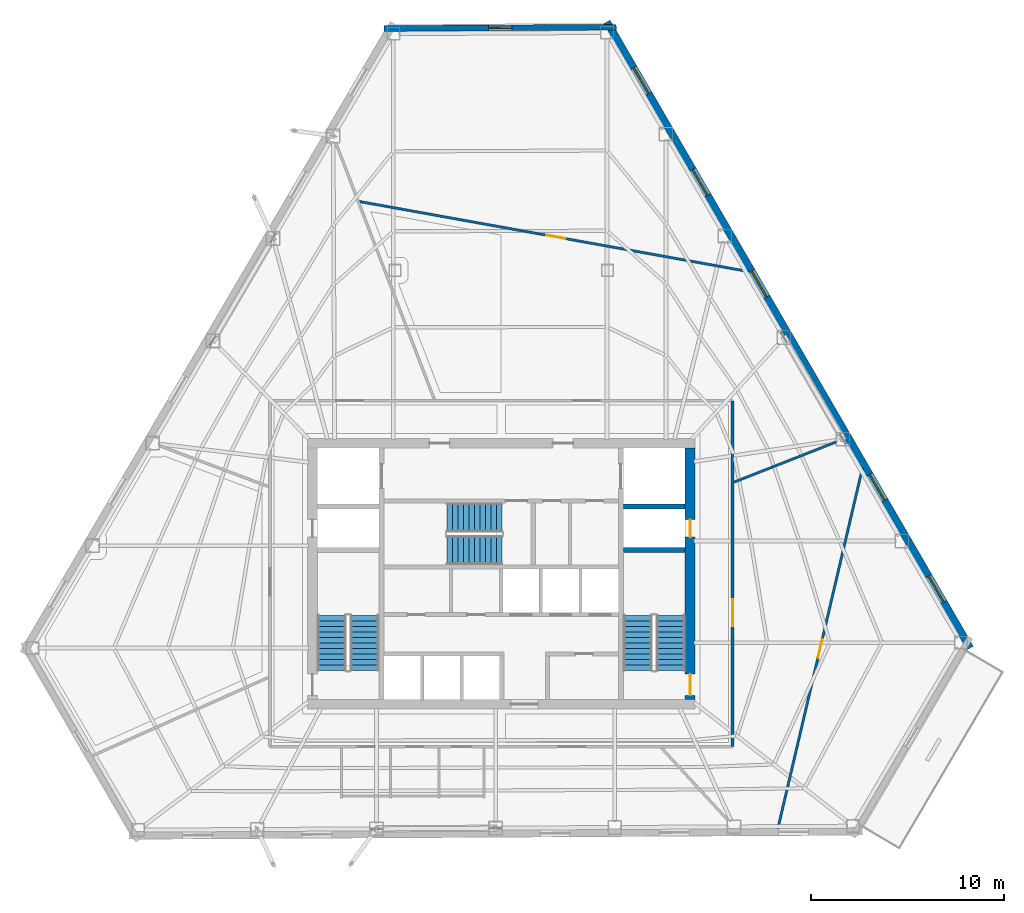
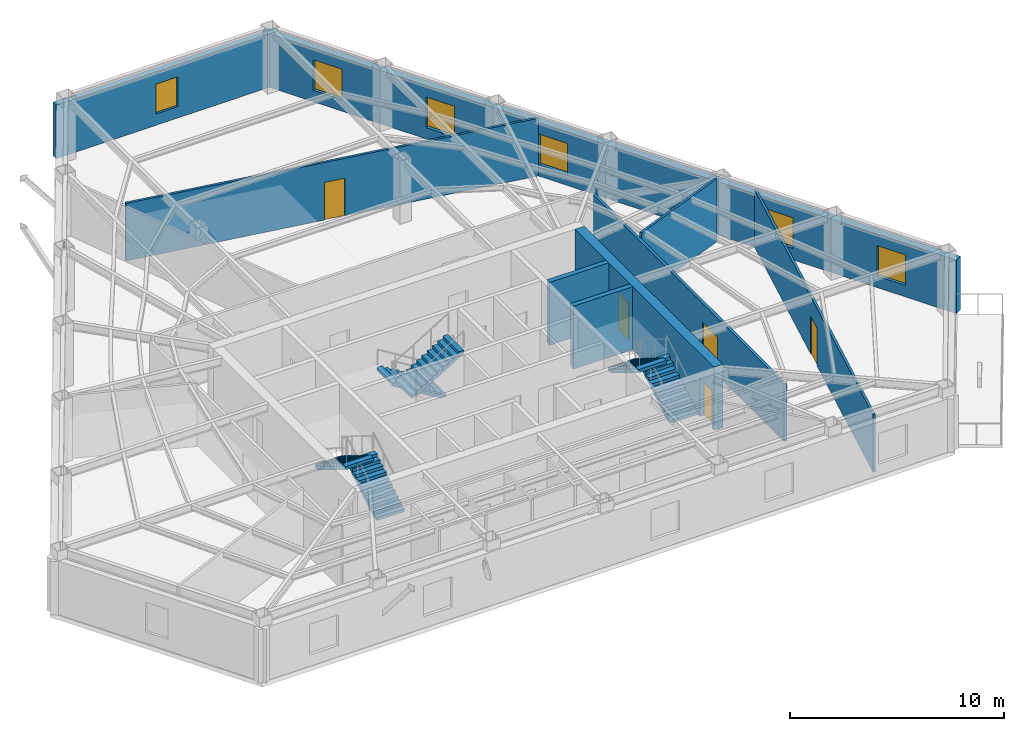
# One storey, part 8 of 11: 9 walls, 6 stair flights, 6 windows, 5 doors, 11 openings, 3 elements without a shape of their own.
"""IFC4 building model written with IfcOpenShell, lengths in metres."""

from ifc_helpers import new_model, si_unit, direction, frame, frame_2d, origin, place, context, subcontext, project, spatial, polyline, rectangle, outline, extrude, material, layer, layer_set, type_object, element, fill, aggregate, save


model = new_model("IFC4")

# Units and contexts
model_context = context("Model", 3, precision=1e-05, world=origin(), true_north=direction((0.0, 1.0)))
body_context = subcontext(model_context, "Body", "Model", "MODEL_VIEW")
ifc_project = project(units=[si_unit("LENGTHUNIT", "METRE"), si_unit("AREAUNIT", "SQUARE_METRE"), si_unit("VOLUMEUNIT", "CUBIC_METRE"), si_unit("PLANEANGLEUNIT", "RADIAN"), si_unit("MASSUNIT", "GRAM", prefix="KILO")], contexts=[model_context])

# Site, building, storey
site_placement = place(None, origin())
site = spatial("IfcSite", under=ifc_project, at=site_placement, CompositionType="ELEMENT")
building_placement = place(site_placement, origin())
building = spatial("IfcBuilding", under=site, at=building_placement, Name="Kavelnor Concourse Tower", CompositionType="ELEMENT")
storey_placement = place(building_placement, frame((0.0, 0.0, 139.39990234375)))
storey = spatial("IfcBuildingStorey", under=building, at=storey_placement, Name="L35", CompositionType="ELEMENT", Elevation=139.39990234375)

# Wall, openings, doors
ifc_material_1 = material(Name="Concrete C60/75", Category="concrete")
ifc_layer_1 = layer(ifc_material_1, 0.5, Name="Concrete C60/75")
ifc_layer_set_1 = layer_set([ifc_layer_1], Name="Concrete C60/75")
wall_type_1 = type_object("IfcWallType", Name="WL-CORE-Z2-500", PredefinedType="SOLIDWALL", material=ifc_layer_set_1)
wall_1_placement = place(storey_placement, frame((47.77001953125, 9.60009765625, 0.0), z_axis=(0.0, 0.0, 1.0), x_axis=(0.0, 1.0, 0.0)))
wall_1 = element("IfcWall", 1, at=wall_1_placement, inside=storey, type_object=wall_type_1, Name="L35 Central Core East Shear Wall", PredefinedType="SOLIDWALL", context=body_context, shape_type="SweptSolid", body=[
    extrude(rectangle(XDim=13.0, YDim=0.5, at=frame_2d((6.5, 0.0))), origin(), (0.0, 0.0, 1.0), 3.60009765625),
])
opening_1_placement = place(wall_1_placement, frame((0.199951171875, 0.0, 0.0)))
opening_1 = element("IfcOpeningElement", 2, at=opening_1_placement, cuts=wall_1, Name="Opening FD-110", PredefinedType="OPENING", context=body_context, shape_type="SweptSolid", body=[
    extrude(rectangle(XDim=1.10009765625, YDim=2.14990234375, at=frame_2d((0.550048828125, 1.074951171875))), frame((0.0, 0.260009765625, 0.0), z_axis=(0.0, -1.0, 0.0), x_axis=(1.0, 0.0, 0.0)), (0.0, 0.0, 1.0), 0.52001953125),
])
opening_2_placement = place(wall_1_placement, frame((8.39990234375, 0.0, 0.0)))
opening_2 = element("IfcOpeningElement", 3, at=opening_2_placement, cuts=wall_1, Name="Opening FD-090", PredefinedType="OPENING", context=body_context, shape_type="SweptSolid", body=[
    extrude(rectangle(XDim=0.89990234375, YDim=2.10009765625, at=frame_2d((0.449951171875, 1.050048828125))), frame((0.0, 0.260009765625, 0.0), z_axis=(0.0, -1.0, 0.0), x_axis=(1.0, 0.0, 0.0)), (0.0, 0.0, 1.0), 0.52001953125),
])
ifc_material_2 = material(Name="Steel Grade 350", Category="steel")
door_type_1 = type_object("IfcDoorType", Name="DR-RISER-FIRE-900", OperationType="NOTDEFINED", PredefinedType="DOOR", material=ifc_material_2)
door_1_placement = place(opening_2_placement, origin())
door_1 = element("IfcDoor", 4, at=door_1_placement, inside=storey, type_object=door_type_1, Name="L35 East Riser Access Door", OperationType="SINGLE_SWING_LEFT", OverallHeight=2.10009765625, OverallWidth=0.89990234375, PredefinedType="DOOR", context=body_context, shape_type="SweptSolid", body=[
    extrude(rectangle(XDim=0.89990234375, YDim=2.10009765625, at=frame_2d((0.449951171875, 1.050048828125))), frame((0.0, 0.02490234375, 0.0), z_axis=(0.0, -1.0, 0.0), x_axis=(1.0, 0.0, 0.0)), (0.0, 0.0, 1.0), 0.050048828125),
])
fill(opening_2, door_1)
door_type_2 = type_object("IfcDoorType", Name="DR-STAIR-FIRE-1100", OperationType="NOTDEFINED", PredefinedType="DOOR", material=ifc_material_2)
door_2_placement = place(opening_1_placement, origin())
door_2 = element("IfcDoor", 5, at=door_2_placement, inside=storey, type_object=door_type_2, Name="L35 Stair ST2 Fire Door", OperationType="SINGLE_SWING_RIGHT", OverallHeight=2.14990234375, OverallWidth=1.10009765625, PredefinedType="DOOR", context=body_context, shape_type="SweptSolid", body=[
    extrude(rectangle(XDim=1.10009765625, YDim=2.14990234375, at=frame_2d((0.550048828125, 1.074951171875))), frame((0.0, 0.02490234375, 0.0), z_axis=(0.0, -1.0, 0.0), x_axis=(1.0, 0.0, 0.0)), (0.0, 0.0, 1.0), 0.050048828125),
])
fill(opening_1, door_2)

# Wall, opening, window
ifc_material_3 = material(Name="Buff ironspot clay face brick masonry", Category="masonry")
ifc_layer_2 = layer(ifc_material_3, 0.300048828125, Name="Buff ironspot clay face brick masonry")
ifc_layer_set_2 = layer_set([ifc_layer_2], Name="Buff ironspot clay face brick masonry")
wall_type_2 = type_object("IfcWallType", Name="WL-EXT-BUFF-BRICK-FOLD-300", PredefinedType="STANDARD", material=ifc_layer_set_2)
wall_2_placement = place(storey_placement, frame((31.939697265625, 44.319580078125, 0.0), z_axis=(0.0, 0.0, 1.0), x_axis=(0.999984603996, 0.005549033414, 0.0)))
wall_2 = element("IfcWall", 6, at=wall_2_placement, inside=storey, type_object=wall_type_2, Name="L35 Exterior Brick Facade Wall E0", PredefinedType="STANDARD", context=body_context, shape_type="SweptSolid", body=[
    extrude(rectangle(XDim=12.01123046875, YDim=0.300048828125, at=frame_2d((6.005615234375, 0.0))), origin(), (0.0, 0.0, 1.0), 3.05908203125),
])
opening_3_placement = place(wall_2_placement, frame((5.405517578125, 0.0, 0.64990234375)))
opening_3 = element("IfcOpeningElement", 7, at=opening_3_placement, cuts=wall_2, Name="Opening W-05", PredefinedType="OPENING", context=body_context, shape_type="SweptSolid", body=[
    extrude(rectangle(XDim=1.199951171875, YDim=1.699951171875, at=frame_2d((0.60009765625, 0.85009765625))), frame((0.0, 0.16015625, 0.0), z_axis=(0.0, -1.0, 0.0), x_axis=(1.0, 0.0, 0.0)), (0.0, 0.0, 1.0), 0.320068359375),
])
ifc_material_4 = material(Name="Double low-E argon insulated glazing", Category="glass")
window_type_1 = type_object("IfcWindowType", Name="WIN-FOLD-1200", PartitioningType="SINGLE_PANEL", PredefinedType="WINDOW", material=ifc_material_4)
window_1_placement = place(opening_3_placement, origin())
window_1 = element("IfcWindow", 8, at=window_1_placement, inside=storey, type_object=window_type_1, Name="L35 Chamfer-Fold Facet Window C0", OverallHeight=1.699951171875, OverallWidth=1.199951171875, PartitioningType="SINGLE_PANEL", PredefinedType="WINDOW", context=body_context, shape_type="SweptSolid", body=[
    extrude(rectangle(XDim=1.199951171875, YDim=1.699951171875, at=frame_2d((0.60009765625, 0.85009765625))), frame((0.0, 0.030029296875, 0.0), z_axis=(0.0, -1.0, 0.0), x_axis=(1.0, 0.0, 0.0)), (0.0, 0.0, 1.0), 0.06005859375),
])
fill(opening_3, window_1)

# Wall, openings, windows
ifc_material_5 = material(Name="Red-ochre clay face brick masonry", Category="masonry")
ifc_layer_3 = layer(ifc_material_5, 0.3798828125, Name="Red-ochre clay face brick masonry")
ifc_layer_set_3 = layer_set([ifc_layer_3], Name="Red-ochre clay face brick masonry")
wall_type_3 = type_object("IfcWallType", Name="WL-EXT-RED-BRICK-PIER-380", PredefinedType="STANDARD", material=ifc_layer_set_3)
wall_3_placement = place(storey_placement, frame((43.467529296875, 44.662841796875, 0.0), z_axis=(0.0, 0.0, 1.0), x_axis=(0.501788207044, -0.864990517446, 0.0)))
wall_3 = element("IfcWall", 9, at=wall_3_placement, inside=storey, type_object=wall_type_3, Name="L35 Exterior Brick Facade Wall E5", PredefinedType="STANDARD", context=body_context, shape_type="SweptSolid", body=[
    extrude(rectangle(XDim=37.465087890625, YDim=0.3798828125, at=frame_2d((18.732421875, 0.0))), origin(), (0.0, 0.0, 1.0), 3.05908203125),
])
opening_4_placement = place(wall_3_placement, frame((33.16748046875, 0.0, 0.64990234375)))
opening_4 = element("IfcOpeningElement", 10, at=opening_4_placement, cuts=wall_3, Name="Opening W-02", PredefinedType="OPENING", context=body_context, shape_type="SweptSolid", body=[
    extrude(rectangle(XDim=1.550048828125, YDim=1.75, at=frame_2d((0.77490234375, 0.875))), frame((0.0, 0.199951171875, 0.0), z_axis=(0.0, -1.0, 0.0), x_axis=(1.0, 0.0, 0.0)), (0.0, 0.0, 1.0), 0.39990234375),
])
opening_5_placement = place(wall_3_placement, frame((27.083251953125, 0.0, 0.64990234375)))
opening_5 = element("IfcOpeningElement", 11, at=opening_5_placement, cuts=wall_3, Name="Opening W-02", PredefinedType="OPENING", context=body_context, shape_type="SweptSolid", body=[
    extrude(rectangle(XDim=1.550048828125, YDim=1.75, at=frame_2d((0.77490234375, 0.875))), frame((0.0, 0.199951171875, 0.0), z_axis=(0.0, -1.0, 0.0), x_axis=(1.0, 0.0, 0.0)), (0.0, 0.0, 1.0), 0.39990234375),
])
opening_6_placement = place(wall_3_placement, frame((14.914306640625, 0.0, 0.64990234375)))
opening_6 = element("IfcOpeningElement", 12, at=opening_6_placement, cuts=wall_3, Name="Opening W-02", PredefinedType="OPENING", context=body_context, shape_type="SweptSolid", body=[
    extrude(rectangle(XDim=1.550048828125, YDim=1.75, at=frame_2d((0.77490234375, 0.875))), frame((0.0, 0.199951171875, 0.0), z_axis=(0.0, -1.0, 0.0), x_axis=(1.0, 0.0, 0.0)), (0.0, 0.0, 1.0), 0.39990234375),
])
opening_7_placement = place(wall_3_placement, frame((8.829833984375, 0.0, 0.64990234375)))
opening_7 = element("IfcOpeningElement", 13, at=opening_7_placement, cuts=wall_3, Name="Opening W-02", PredefinedType="OPENING", context=body_context, shape_type="SweptSolid", body=[
    extrude(rectangle(XDim=1.550048828125, YDim=1.75, at=frame_2d((0.77490234375, 0.875))), frame((0.0, 0.199951171875, 0.0), z_axis=(0.0, -1.0, 0.0), x_axis=(1.0, 0.0, 0.0)), (0.0, 0.0, 1.0), 0.39990234375),
])
opening_8_placement = place(wall_3_placement, frame((2.745361328125, 0.0, 0.64990234375)))
opening_8 = element("IfcOpeningElement", 14, at=opening_8_placement, cuts=wall_3, Name="Opening W-02", PredefinedType="OPENING", context=body_context, shape_type="SweptSolid", body=[
    extrude(rectangle(XDim=1.550048828125, YDim=1.75, at=frame_2d((0.77490234375, 0.875))), frame((0.0, 0.199951171875, 0.0), z_axis=(0.0, -1.0, 0.0), x_axis=(1.0, 0.0, 0.0)), (0.0, 0.0, 1.0), 0.39990234375),
])
window_type_2 = type_object("IfcWindowType", Name="WIN-PIER-Z2-1650", PartitioningType="SINGLE_PANEL", PredefinedType="WINDOW", material=ifc_material_4)
window_2_placement = place(opening_4_placement, origin())
window_2 = element("IfcWindow", 15, at=window_2_placement, inside=storey, type_object=window_type_2, Name="L35 Deep-Set Brick Pier Window F2-B0", OverallHeight=1.75, OverallWidth=1.550048828125, PartitioningType="SINGLE_PANEL", PredefinedType="WINDOW", context=body_context, shape_type="SweptSolid", body=[
    extrude(rectangle(XDim=1.550048828125, YDim=1.75, at=frame_2d((0.77490234375, 0.875))), frame((0.0, 0.030029296875, 0.0), z_axis=(0.0, -1.0, 0.0), x_axis=(1.0, 0.0, 0.0)), (0.0, 0.0, 1.0), 0.06005859375),
])
fill(opening_4, window_2)
window_3_placement = place(opening_5_placement, origin())
window_3 = element("IfcWindow", 16, at=window_3_placement, inside=storey, type_object=window_type_2, Name="L35 Deep-Set Brick Pier Window F2-B1", OverallHeight=1.75, OverallWidth=1.550048828125, PartitioningType="SINGLE_PANEL", PredefinedType="WINDOW", context=body_context, shape_type="SweptSolid", body=[
    extrude(rectangle(XDim=1.550048828125, YDim=1.75, at=frame_2d((0.77490234375, 0.875))), frame((0.0, 0.030029296875, 0.0), z_axis=(0.0, -1.0, 0.0), x_axis=(1.0, 0.0, 0.0)), (0.0, 0.0, 1.0), 0.06005859375),
])
fill(opening_5, window_3)
window_4_placement = place(opening_6_placement, origin())
window_4 = element("IfcWindow", 17, at=window_4_placement, inside=storey, type_object=window_type_2, Name="L35 Deep-Set Brick Pier Window F2-B3", OverallHeight=1.75, OverallWidth=1.550048828125, PartitioningType="SINGLE_PANEL", PredefinedType="WINDOW", context=body_context, shape_type="SweptSolid", body=[
    extrude(rectangle(XDim=1.550048828125, YDim=1.75, at=frame_2d((0.77490234375, 0.875))), frame((0.0, 0.030029296875, 0.0), z_axis=(0.0, -1.0, 0.0), x_axis=(1.0, 0.0, 0.0)), (0.0, 0.0, 1.0), 0.06005859375),
])
fill(opening_6, window_4)
window_5_placement = place(opening_7_placement, origin())
window_5 = element("IfcWindow", 18, at=window_5_placement, inside=storey, type_object=window_type_2, Name="L35 Deep-Set Brick Pier Window F2-B4", OverallHeight=1.75, OverallWidth=1.550048828125, PartitioningType="SINGLE_PANEL", PredefinedType="WINDOW", context=body_context, shape_type="SweptSolid", body=[
    extrude(rectangle(XDim=1.550048828125, YDim=1.75, at=frame_2d((0.77490234375, 0.875))), frame((0.0, 0.030029296875, 0.0), z_axis=(0.0, -1.0, 0.0), x_axis=(1.0, 0.0, 0.0)), (0.0, 0.0, 1.0), 0.06005859375),
])
fill(opening_7, window_5)
window_6_placement = place(opening_8_placement, origin())
window_6 = element("IfcWindow", 19, at=window_6_placement, inside=storey, type_object=window_type_2, Name="L35 Deep-Set Brick Pier Window F2-B5", OverallHeight=1.75, OverallWidth=1.550048828125, PartitioningType="SINGLE_PANEL", PredefinedType="WINDOW", context=body_context, shape_type="SweptSolid", body=[
    extrude(rectangle(XDim=1.550048828125, YDim=1.75, at=frame_2d((0.77490234375, 0.875))), frame((0.0, 0.030029296875, 0.0), z_axis=(0.0, -1.0, 0.0), x_axis=(1.0, 0.0, 0.0)), (0.0, 0.0, 1.0), 0.06005859375),
])
fill(opening_8, window_6)

# Wall, opening, door
ifc_material_6 = material(Name="Gypsum plasterboard on light-gauge steel studs", Category="steel")
ifc_layer_4 = layer(ifc_material_6, 0.14501953125, Name="Gypsum plasterboard on light-gauge steel studs")
ifc_layer_set_4 = layer_set([ifc_layer_4], Name="Gypsum plasterboard on light-gauge steel studs")
wall_type_4 = type_object("IfcWallType", Name="WL-INT-CORR-145", PredefinedType="PARTITIONING", material=ifc_layer_set_4)
wall_4_placement = place(storey_placement, frame((49.969970703125, 7.14990234375, 0.0), z_axis=(0.0, 0.0, 1.0), x_axis=(0.0, 1.0, 0.0)))
wall_4 = element("IfcWall", 20, at=wall_4_placement, inside=storey, type_object=wall_type_4, Name="L35 Corridor Wall WL-L35-CR-01", PredefinedType="PARTITIONING", context=body_context, shape_type="SweptSolid", body=[
    extrude(rectangle(XDim=17.900146484375, YDim=0.14501953125, at=frame_2d((8.9501953125, 0.0))), origin(), (0.0, 0.0, 1.0), 3.2880859375),
])
opening_9_placement = place(wall_4_placement, frame((6.230224609375, 0.0, 0.0)))
opening_9 = element("IfcOpeningElement", 21, at=opening_9_placement, cuts=wall_4, Name="Opening SD-140", PredefinedType="OPENING", context=body_context, shape_type="SweptSolid", body=[
    extrude(rectangle(XDim=1.39990234375, YDim=2.199951171875, at=frame_2d((0.699951171875, 1.10009765625))), frame((0.0, 0.08251953125, 0.0), z_axis=(0.0, -1.0, 0.0), x_axis=(1.0, 0.0, 0.0)), (0.0, 0.0, 1.0), 0.1650390625),
])
ifc_material_7 = material(Name="Solid-core hardwood timber", Category="wood")
door_type_3 = type_object("IfcDoorType", Name="DR-SUITE-ENTRY-1400", OperationType="NOTDEFINED", PredefinedType="DOOR", material=ifc_material_7)
door_3_placement = place(opening_9_placement, origin())
door_3 = element("IfcDoor", 22, at=door_3_placement, inside=storey, type_object=door_type_3, Name="L35 Staff Breakout Pantry 06 Door", OperationType="SINGLE_SWING_RIGHT", OverallHeight=2.199951171875, OverallWidth=1.39990234375, PredefinedType="DOOR", context=body_context, shape_type="SweptSolid", body=[
    extrude(rectangle(XDim=1.39990234375, YDim=2.199951171875, at=frame_2d((0.699951171875, 1.10009765625))), frame((0.0, 0.02490234375, 0.0), z_axis=(0.0, -1.0, 0.0), x_axis=(1.0, 0.0, 0.0)), (0.0, 0.0, 1.0), 0.050048828125),
])
fill(opening_9, door_3)

# Wall
ifc_layer_5 = layer(ifc_material_6, 0.125, Name="Gypsum plasterboard on light-gauge steel studs")
ifc_layer_set_5 = layer_set([ifc_layer_5], Name="Gypsum plasterboard on light-gauge steel studs")
wall_type_5 = type_object("IfcWallType", Name="WL-INT-SUITE-125", PredefinedType="PARTITIONING", material=ifc_layer_set_5)
wall_5_placement = place(storey_placement, frame((50.050537109375, 20.84326171875, 0.0), z_axis=(0.0, 0.0, 1.0), x_axis=(0.93049704845, 0.366299389606, 0.0)))
element("IfcWall", 23, at=wall_5_placement, inside=storey, type_object=wall_type_5, Name="L35 Radial Suite Partition 01", PredefinedType="PARTITIONING", context=body_context, shape_type="SweptSolid", body=[
    extrude(rectangle(XDim=5.661376953125, YDim=0.125, at=frame_2d((2.83056640625, 0.0))), origin(), (0.0, 0.0, 1.0), 3.60009765625),
])

# Wall, opening, door
wall_6_placement = place(storey_placement, frame((50.789794921875, 31.741455078125, 0.0), z_axis=(0.0, 0.0, 1.0), x_axis=(-0.984196030072, 0.177082394355, 0.0)))
wall_6 = element("IfcWall", 24, at=wall_6_placement, inside=storey, type_object=wall_type_5, Name="L35 Suite Subdivision Partition 01", PredefinedType="PARTITIONING", context=body_context, shape_type="SweptSolid", body=[
    extrude(rectangle(XDim=20.498291015625, YDim=0.125, at=frame_2d((10.2490234375, 0.0))), origin(), (0.0, 0.0, 1.0), 3.2880859375),
])
opening_10_placement = place(wall_6_placement, frame((9.617919921875, 0.0, 0.0)))
opening_10 = element("IfcOpeningElement", 25, at=opening_10_placement, cuts=wall_6, Name="Opening MD-102", PredefinedType="OPENING", context=body_context, shape_type="SweptSolid", body=[
    extrude(rectangle(XDim=1.02001953125, YDim=2.14990234375, at=frame_2d((0.510009765625, 1.074951171875))), frame((0.0, 0.072509765625, 0.0), z_axis=(0.0, -1.0, 0.0), x_axis=(1.0, 0.0, 0.0)), (0.0, 0.0, 1.0), 0.14501953125),
])
ifc_material_8 = material(Name="Acoustic glazed timber frame", Category="wood")
door_type_4 = type_object("IfcDoorType", Name="DR-MEETING-1020", OperationType="NOTDEFINED", PredefinedType="DOOR", material=ifc_material_8)
door_4_placement = place(opening_10_placement, origin())
door_4 = element("IfcDoor", 26, at=door_4_placement, inside=storey, type_object=door_type_4, Name="L35 Client Boardroom 02 Door", OperationType="SINGLE_SWING_RIGHT", OverallHeight=2.14990234375, OverallWidth=1.02001953125, PredefinedType="DOOR", context=body_context, shape_type="SweptSolid", body=[
    extrude(rectangle(XDim=1.02001953125, YDim=2.14990234375, at=frame_2d((0.510009765625, 1.074951171875))), frame((0.0, 0.02490234375, 0.0), z_axis=(0.0, -1.0, 0.0), x_axis=(1.0, 0.0, 0.0)), (0.0, 0.0, 1.0), 0.050048828125),
])
fill(opening_10, door_4)

wall_7_placement = place(storey_placement, frame((52.309814453125, 2.89501953125, 0.0), z_axis=(0.0, 0.0, 1.0), x_axis=(0.228472417178, 0.973550386261, 0.0)))
wall_7 = element("IfcWall", 27, at=wall_7_placement, inside=storey, type_object=wall_type_5, Name="L35 Suite Subdivision Partition 05", PredefinedType="PARTITIONING", context=body_context, shape_type="SweptSolid", body=[
    extrude(rectangle(XDim=19.179931640625, YDim=0.125, at=frame_2d((9.58984375, 0.0))), origin(), (0.0, 0.0, 1.0), 3.2880859375),
])
opening_11_placement = place(wall_7_placement, frame((9.099853515625, 0.0, 0.0)))
opening_11 = element("IfcOpeningElement", 28, at=opening_11_placement, cuts=wall_7, Name="Opening OD-098", PredefinedType="OPENING", context=body_context, shape_type="SweptSolid", body=[
    extrude(rectangle(XDim=0.97998046875, YDim=2.14990234375, at=frame_2d((0.489990234375, 1.074951171875))), frame((0.0, 0.072509765625, 0.0), z_axis=(0.0, -1.0, 0.0), x_axis=(1.0, 0.0, 0.0)), (0.0, 0.0, 1.0), 0.14501953125),
])
door_type_5 = type_object("IfcDoorType", Name="DR-OFFICE-980", OperationType="NOTDEFINED", PredefinedType="DOOR", material=ifc_material_7)
door_5_placement = place(opening_11_placement, origin())
door_5 = element("IfcDoor", 29, at=door_5_placement, inside=storey, type_object=door_type_5, Name="L35 Tenant Bookstore Retail Shop 07 Door", OperationType="SINGLE_SWING_LEFT", OverallHeight=2.14990234375, OverallWidth=0.97998046875, PredefinedType="DOOR", context=body_context, shape_type="SweptSolid", body=[
    extrude(rectangle(XDim=0.97998046875, YDim=2.14990234375, at=frame_2d((0.489990234375, 1.074951171875))), frame((0.0, 0.02490234375, 0.0), z_axis=(0.0, -1.0, 0.0), x_axis=(1.0, 0.0, 0.0)), (0.0, 0.0, 1.0), 0.050048828125),
])
fill(opening_11, door_5)

# Walls
ifc_material_9 = material(Name="Concrete C50/60", Category="concrete")
ifc_layer_6 = layer(ifc_material_9, 0.260009765625, Name="Concrete C50/60")
ifc_layer_set_6 = layer_set([ifc_layer_6], Name="Concrete C50/60")
wall_type_6 = type_object("IfcWallType", Name="WL-SHAFT-260", PredefinedType="SHEAR", material=ifc_layer_set_6)
for number, where, z_axis, x_axis, name in (
    (30, (44.320068359375, 17.330078125, 0.0), (0.0, 0.0, 1.0), (1.0, 0.0, 0.0), "L35 Stair ST2 North Shaft Wall"),
    (31, (44.320068359375, 19.570068359375, 0.0), (0.0, 0.0, 1.0), (1.0, 0.0, 0.0), "L35 Emergency Lift FL2 South Shaft Wall"),
):
    element("IfcWall", number, at=place(storey_placement, frame(where, z_axis=z_axis, x_axis=x_axis)), inside=storey, type_object=wall_type_6, Name=name, PredefinedType="SHEAR", context=body_context, shape_type="SweptSolid", body=[
        extrude(rectangle(XDim=3.199951171875, YDim=0.260009765625, at=frame_2d((1.60009765625, 0.0))), origin(), (0.0, 0.0, 1.0), 3.60009765625),
    ])

# Stair, stair flights
ifc_material_10 = material(Name="Concrete C40/50", Category="concrete")
stair_type = type_object("IfcStairType", Name="STR-CORE-1500", PredefinedType="HALF_TURN_STAIR", material=ifc_material_10)
stair_1_placement = place(storey_placement, origin())
stair_1 = element("IfcStair", 32, at=stair_1_placement, inside=storey, type_object=stair_type, Name="L35 ST1", PredefinedType="HALF_TURN_STAIR")
stair_flight_type = type_object("IfcStairFlightType", Name="STR-FLIGHT-1500", PredefinedType="STRAIGHT", material=ifc_material_10)
stair_flight_1_placement = place(storey_placement, frame((30.929931640625, 11.10009765625, 0.0), z_axis=(0.0, 0.0, 1.0), x_axis=(0.0, 1.0, 0.0)))
stair_flight_1 = element("IfcStairFlight", 33, at=stair_flight_1_placement, type_object=stair_flight_type, Name="ST1 flight 1", NumberOfRisers=11, NumberOfTreads=10, PredefinedType="STRAIGHT", RiserHeight=0.175, TreadLength=0.285, context=body_context, shape_type="SweptSolid", body=[
    extrude(outline(polyline([(0.0, 0.0), (0.0, 0.175048828125), (0.284912109375, 0.175048828125), (0.284912109375, 0.35009765625), (0.570068359375, 0.35009765625), (0.570068359375, 0.52490234375), (0.85498046875, 0.52490234375), (0.85498046875, 0.699951171875), (1.139892578125, 0.699951171875), (1.139892578125, 0.875), (1.425048828125, 0.875), (1.425048828125, 1.050048828125), (1.7099609375, 1.050048828125), (1.7099609375, 1.22509765625), (1.9951171875, 1.22509765625), (1.9951171875, 1.39990234375), (2.280029296875, 1.39990234375), (2.280029296875, 1.574951171875), (2.56494140625, 1.574951171875), (2.56494140625, 1.75), (2.85009765625, 1.75), (2.85009765625, 1.925048828125), (2.85009765625, 1.573974609375), (0.286376953125, 0.0), (0.0, 0.0)])), frame((0.0, 0.75, 0.0), z_axis=(0.0, -1.0, 0.0), x_axis=(1.0, 0.0, 0.0)), (0.0, 0.0, 1.0), 1.5),
])
stair_flight_2_placement = place(storey_placement, frame((29.22998046875, 13.949951171875, 1.925048828125), z_axis=(0.0, 0.0, 1.0), x_axis=(0.0, -1.0, 0.0)))
stair_flight_2 = element("IfcStairFlight", 34, at=stair_flight_2_placement, type_object=stair_flight_type, Name="ST1 flight 2", NumberOfRisers=11, NumberOfTreads=10, PredefinedType="STRAIGHT", RiserHeight=0.175, TreadLength=0.285, context=body_context, shape_type="SweptSolid", body=[
    extrude(outline(polyline([(0.0, 0.0), (0.0, 0.175048828125), (0.284912109375, 0.175048828125), (0.284912109375, 0.35009765625), (0.570068359375, 0.35009765625), (0.570068359375, 0.52490234375), (0.85498046875, 0.52490234375), (0.85498046875, 0.699951171875), (1.139892578125, 0.699951171875), (1.139892578125, 0.875), (1.425048828125, 0.875), (1.425048828125, 1.050048828125), (1.7099609375, 1.050048828125), (1.7099609375, 1.22509765625), (1.9951171875, 1.22509765625), (1.9951171875, 1.39990234375), (2.280029296875, 1.39990234375), (2.280029296875, 1.574951171875), (2.56494140625, 1.574951171875), (2.56494140625, 1.75), (2.85009765625, 1.75), (2.85009765625, 1.925048828125), (2.85009765625, 1.573974609375), (0.286376953125, 0.0), (0.0, 0.0)])), frame((0.0, 0.75, 0.0), z_axis=(0.0, -1.0, 0.0), x_axis=(1.0, 0.0, 0.0)), (0.0, 0.0, 1.0), 1.5),
])
aggregate(stair_1, [stair_flight_1, stair_flight_2])

stair_2_placement = place(storey_placement, origin())
stair_2 = element("IfcStair", 35, at=stair_2_placement, inside=storey, type_object=stair_type, Name="L35 ST2", PredefinedType="HALF_TURN_STAIR")
stair_flight_3_placement = place(storey_placement, frame((46.77001953125, 11.10009765625, 0.0), z_axis=(0.0, 0.0, 1.0), x_axis=(0.0, 1.0, 0.0)))
stair_flight_3 = element("IfcStairFlight", 36, at=stair_flight_3_placement, type_object=stair_flight_type, Name="ST2 flight 1", NumberOfRisers=11, NumberOfTreads=10, PredefinedType="STRAIGHT", RiserHeight=0.175, TreadLength=0.285, context=body_context, shape_type="SweptSolid", body=[
    extrude(outline(polyline([(0.0, 0.0), (0.0, 0.175048828125), (0.284912109375, 0.175048828125), (0.284912109375, 0.35009765625), (0.570068359375, 0.35009765625), (0.570068359375, 0.52490234375), (0.85498046875, 0.52490234375), (0.85498046875, 0.699951171875), (1.139892578125, 0.699951171875), (1.139892578125, 0.875), (1.425048828125, 0.875), (1.425048828125, 1.050048828125), (1.7099609375, 1.050048828125), (1.7099609375, 1.22509765625), (1.9951171875, 1.22509765625), (1.9951171875, 1.39990234375), (2.280029296875, 1.39990234375), (2.280029296875, 1.574951171875), (2.56494140625, 1.574951171875), (2.56494140625, 1.75), (2.85009765625, 1.75), (2.85009765625, 1.925048828125), (2.85009765625, 1.573974609375), (0.286376953125, 0.0), (0.0, 0.0)])), frame((0.0, 0.75, 0.0), z_axis=(0.0, -1.0, 0.0), x_axis=(1.0, 0.0, 0.0)), (0.0, 0.0, 1.0), 1.5),
])
stair_flight_4_placement = place(storey_placement, frame((45.070068359375, 13.949951171875, 1.925048828125), z_axis=(0.0, 0.0, 1.0), x_axis=(0.0, -1.0, 0.0)))
stair_flight_4 = element("IfcStairFlight", 37, at=stair_flight_4_placement, type_object=stair_flight_type, Name="ST2 flight 2", NumberOfRisers=11, NumberOfTreads=10, PredefinedType="STRAIGHT", RiserHeight=0.175, TreadLength=0.285, context=body_context, shape_type="SweptSolid", body=[
    extrude(outline(polyline([(0.0, 0.0), (0.0, 0.175048828125), (0.284912109375, 0.175048828125), (0.284912109375, 0.35009765625), (0.570068359375, 0.35009765625), (0.570068359375, 0.52490234375), (0.85498046875, 0.52490234375), (0.85498046875, 0.699951171875), (1.139892578125, 0.699951171875), (1.139892578125, 0.875), (1.425048828125, 0.875), (1.425048828125, 1.050048828125), (1.7099609375, 1.050048828125), (1.7099609375, 1.22509765625), (1.9951171875, 1.22509765625), (1.9951171875, 1.39990234375), (2.280029296875, 1.39990234375), (2.280029296875, 1.574951171875), (2.56494140625, 1.574951171875), (2.56494140625, 1.75), (2.85009765625, 1.75), (2.85009765625, 1.925048828125), (2.85009765625, 1.573974609375), (0.286376953125, 0.0), (0.0, 0.0)])), frame((0.0, 0.75, 0.0), z_axis=(0.0, -1.0, 0.0), x_axis=(1.0, 0.0, 0.0)), (0.0, 0.0, 1.0), 1.5),
])
aggregate(stair_2, [stair_flight_3, stair_flight_4])

stair_3_placement = place(storey_placement, origin())
stair_3 = element("IfcStair", 38, at=stair_3_placement, inside=storey, type_object=stair_type, Name="L35 ST3", PredefinedType="HALF_TURN_STAIR")
stair_flight_5_placement = place(storey_placement, frame((38.0400390625, 19.010009765625, 0.0), z_axis=(0.0, 0.0, 1.0), x_axis=(-1.0, 0.0, 0.0)))
stair_flight_5 = element("IfcStairFlight", 39, at=stair_flight_5_placement, type_object=stair_flight_type, Name="ST3 flight 1", NumberOfRisers=11, NumberOfTreads=10, PredefinedType="STRAIGHT", RiserHeight=0.175, TreadLength=0.285, context=body_context, shape_type="SweptSolid", body=[
    extrude(outline(polyline([(0.0, 0.0), (0.0, 0.175048828125), (0.284912109375, 0.175048828125), (0.284912109375, 0.35009765625), (0.570068359375, 0.35009765625), (0.570068359375, 0.52490234375), (0.85498046875, 0.52490234375), (0.85498046875, 0.699951171875), (1.139892578125, 0.699951171875), (1.139892578125, 0.875), (1.425048828125, 0.875), (1.425048828125, 1.050048828125), (1.7099609375, 1.050048828125), (1.7099609375, 1.22509765625), (1.9951171875, 1.22509765625), (1.9951171875, 1.39990234375), (2.280029296875, 1.39990234375), (2.280029296875, 1.574951171875), (2.56494140625, 1.574951171875), (2.56494140625, 1.75), (2.85009765625, 1.75), (2.85009765625, 1.925048828125), (2.85009765625, 1.573974609375), (0.286376953125, 0.0), (0.0, 0.0)])), frame((0.0, 0.75, 0.0), z_axis=(0.0, -1.0, 0.0), x_axis=(1.0, 0.0, 0.0)), (0.0, 0.0, 1.0), 1.5),
])
stair_flight_6_placement = place(storey_placement, frame((35.18994140625, 17.31005859375, 1.925048828125), z_axis=(0.0, 0.0, 1.0), x_axis=(1.0, 0.0, 0.0)))
stair_flight_6 = element("IfcStairFlight", 40, at=stair_flight_6_placement, type_object=stair_flight_type, Name="ST3 flight 2", NumberOfRisers=11, NumberOfTreads=10, PredefinedType="STRAIGHT", RiserHeight=0.175, TreadLength=0.285, context=body_context, shape_type="SweptSolid", body=[
    extrude(outline(polyline([(0.0, 0.0), (0.0, 0.175048828125), (0.284912109375, 0.175048828125), (0.284912109375, 0.35009765625), (0.570068359375, 0.35009765625), (0.570068359375, 0.52490234375), (0.85498046875, 0.52490234375), (0.85498046875, 0.699951171875), (1.139892578125, 0.699951171875), (1.139892578125, 0.875), (1.425048828125, 0.875), (1.425048828125, 1.050048828125), (1.7099609375, 1.050048828125), (1.7099609375, 1.22509765625), (1.9951171875, 1.22509765625), (1.9951171875, 1.39990234375), (2.280029296875, 1.39990234375), (2.280029296875, 1.574951171875), (2.56494140625, 1.574951171875), (2.56494140625, 1.75), (2.85009765625, 1.75), (2.85009765625, 1.925048828125), (2.85009765625, 1.573974609375), (0.286376953125, 0.0), (0.0, 0.0)])), frame((0.0, 0.75, 0.0), z_axis=(0.0, -1.0, 0.0), x_axis=(1.0, 0.0, 0.0)), (0.0, 0.0, 1.0), 1.5),
])
aggregate(stair_3, [stair_flight_5, stair_flight_6])

save(model, "model.ifc")
